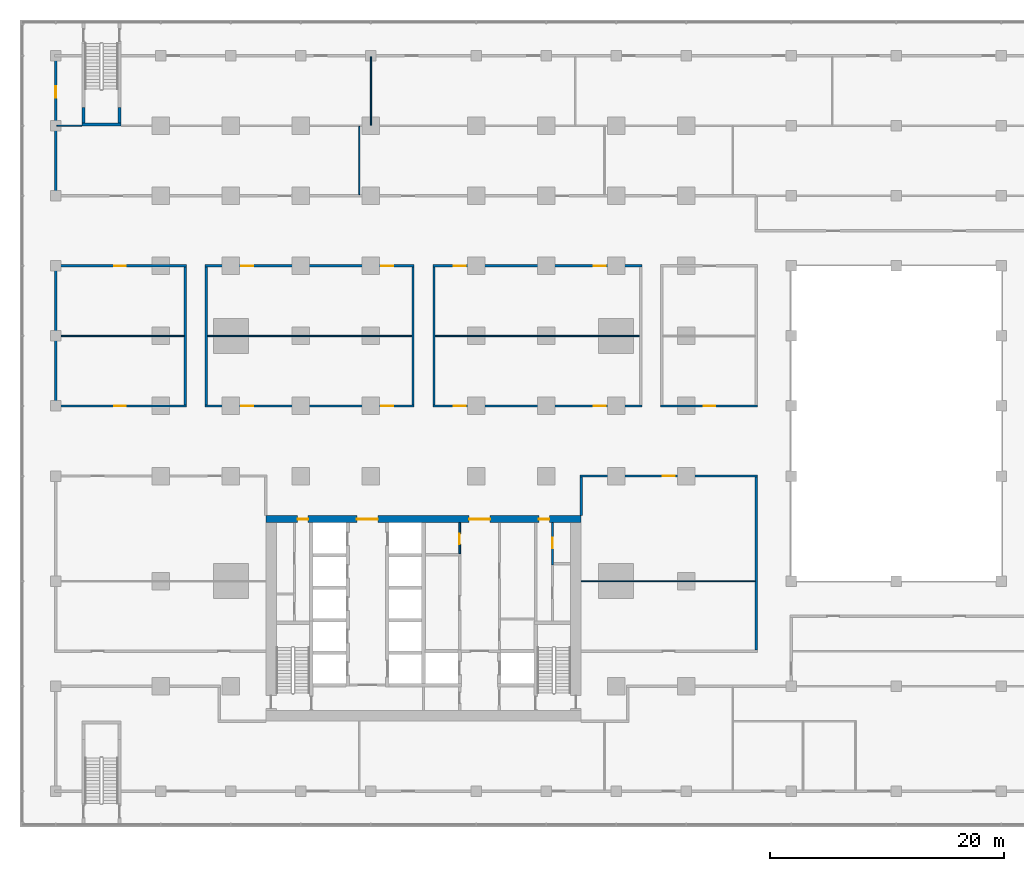
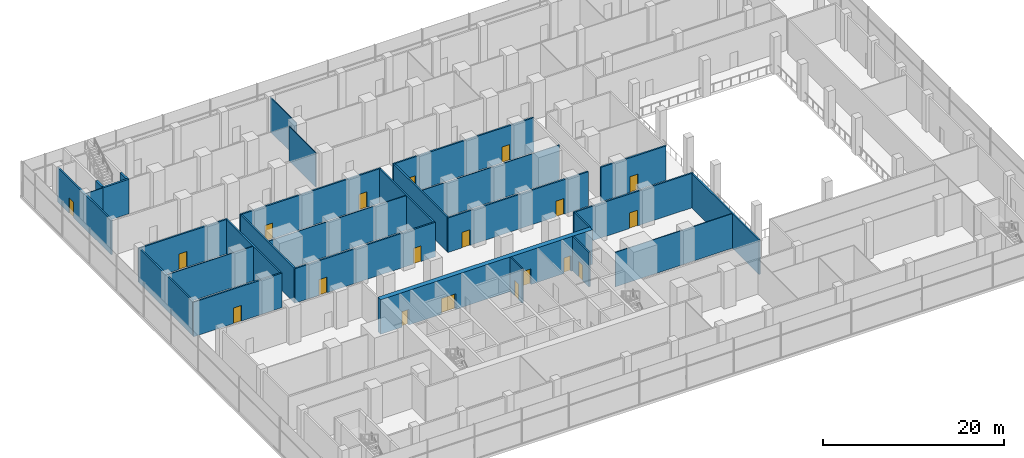
# One storey, part 15 of 22: 29 walls, 19 doors, 19 openings.
"""IFC4 building model written with IfcOpenShell, lengths in metres."""

from ifc_helpers import new_model, si_unit, direction, frame, frame_2d, origin, place, context, subcontext, project, spatial, rectangle, extrude, material, layer, layer_set, type_object, element, fill, save


model = new_model("IFC4")

# Units and contexts
model_context = context("Model", 3, precision=1e-05, world=origin(), true_north=direction((0.0, 1.0)))
body_context = subcontext(model_context, "Body", "Model", "MODEL_VIEW")
ifc_project = project(units=[si_unit("LENGTHUNIT", "METRE"), si_unit("AREAUNIT", "SQUARE_METRE"), si_unit("VOLUMEUNIT", "CUBIC_METRE"), si_unit("PLANEANGLEUNIT", "RADIAN"), si_unit("MASSUNIT", "GRAM", prefix="KILO")], contexts=[model_context])

# Site, building, storey
site_placement = place(None, origin())
site = spatial("IfcSite", under=ifc_project, at=site_placement, CompositionType="ELEMENT")
building_placement = place(site_placement, origin())
building = spatial("IfcBuilding", under=site, at=building_placement, Name="Finial Court Residences", CompositionType="ELEMENT")
storey_placement = place(building_placement, frame((0.0, 0.0, 13.5)))
storey = spatial("IfcBuildingStorey", under=building, at=storey_placement, Name="L02", CompositionType="ELEMENT", Elevation=13.5)

# Wall, openings, doors
ifc_material_1 = material(Name="Concrete C80/95", Category="concrete")
ifc_layer_1 = layer(ifc_material_1, 0.60009765625)
ifc_layer_set_1 = layer_set([ifc_layer_1], Name="Core outer wall 600 Concrete C80/95")
wall_type_1 = type_object("IfcWallType", Name="Core outer wall 600 Concrete C80/95", PredefinedType="SHEAR", material=ifc_layer_set_1)
wall_1_placement = place(storey_placement, frame((-13.5, -8.199951171875, 0.0), z_axis=(0.0, 0.0, 1.0), x_axis=(1.0, 0.0, 0.0)))
wall_1 = element("IfcWall", 1, at=wall_1_placement, inside=storey, type_object=wall_type_1, Name="Core outer wall L02-02", PredefinedType="SHEAR", context=body_context, shape_type="SweptSolid", body=[
    extrude(rectangle(XDim=27.0, YDim=0.60009765625, at=frame_2d((13.5, 0.0))), origin(), (0.0, 0.0, 1.0), 4.64990234375),
])
opening_1_placement = place(wall_1_placement, frame((7.800048828125, 0.0, 0.0)))
opening_1 = element("IfcOpeningElement", 2, at=opening_1_placement, cuts=wall_1, Name="Opening L02-C04", PredefinedType="OPENING", context=body_context, shape_type="SweptSolid", body=[
    extrude(rectangle(XDim=1.800048828125, YDim=2.10009765625, at=frame_2d((0.89990234375, 1.050048828125))), frame((0.0, 0.31005859375, 0.0), z_axis=(0.0, -1.0, 0.0), x_axis=(1.0, 0.0, 0.0)), (0.0, 0.0, 1.0), 0.6201171875),
])
opening_2_placement = place(wall_1_placement, frame((17.39990234375, 0.0, 0.0)))
opening_2 = element("IfcOpeningElement", 3, at=opening_2_placement, cuts=wall_1, Name="Opening L02-C05", PredefinedType="OPENING", context=body_context, shape_type="SweptSolid", body=[
    extrude(rectangle(XDim=1.800048828125, YDim=2.10009765625, at=frame_2d((0.89990234375, 1.050048828125))), frame((0.0, 0.31005859375, 0.0), z_axis=(0.0, -1.0, 0.0), x_axis=(1.0, 0.0, 0.0)), (0.0, 0.0, 1.0), 0.6201171875),
])
opening_3_placement = place(wall_1_placement, frame((2.72509765625, 0.0, 0.0)))
opening_3 = element("IfcOpeningElement", 4, at=opening_3_placement, cuts=wall_1, Name="Opening L02-C10", PredefinedType="OPENING", context=body_context, shape_type="SweptSolid", body=[
    extrude(rectangle(XDim=0.89990234375, YDim=2.10009765625, at=frame_2d((0.449951171875, 1.050048828125))), frame((0.0, 0.31005859375, 0.0), z_axis=(0.0, -1.0, 0.0), x_axis=(1.0, 0.0, 0.0)), (0.0, 0.0, 1.0), 0.6201171875),
])
opening_4_placement = place(wall_1_placement, frame((23.375, 0.0, 0.0)))
opening_4 = element("IfcOpeningElement", 5, at=opening_4_placement, cuts=wall_1, Name="Opening L02-C11", PredefinedType="OPENING", context=body_context, shape_type="SweptSolid", body=[
    extrude(rectangle(XDim=0.89990234375, YDim=2.10009765625, at=frame_2d((0.449951171875, 1.050048828125))), frame((0.0, 0.31005859375, 0.0), z_axis=(0.0, -1.0, 0.0), x_axis=(1.0, 0.0, 0.0)), (0.0, 0.0, 1.0), 0.6201171875),
])
ifc_material_2 = material(Name="Steel fire door", Category="steel")
door_type_1 = type_object("IfcDoorType", Name="Lift lobby door 1800 x 2100 EI 60", OperationType="DOUBLE_DOOR_SINGLE_SWING", PredefinedType="DOOR", material=ifc_material_2)
door_1_placement = place(opening_1_placement, origin())
door_1 = element("IfcDoor", 6, at=door_1_placement, inside=storey, type_object=door_type_1, Name="Lift lobby door L02-C04", OperationType="DOUBLE_DOOR_SINGLE_SWING", OverallHeight=2.10009765625, OverallWidth=1.800048828125, PredefinedType="DOOR", context=body_context, shape_type="SweptSolid", body=[
    extrude(rectangle(XDim=1.800048828125, YDim=2.10009765625, at=frame_2d((0.89990234375, 1.050048828125))), frame((0.0, 0.02490234375, 0.0), z_axis=(0.0, -1.0, 0.0), x_axis=(1.0, 0.0, 0.0)), (0.0, 0.0, 1.0), 0.050048828125),
])
fill(opening_1, door_1)
door_2_placement = place(opening_2_placement, origin())
door_2 = element("IfcDoor", 7, at=door_2_placement, inside=storey, type_object=door_type_1, Name="Lift lobby door L02-C05", OperationType="DOUBLE_DOOR_SINGLE_SWING", OverallHeight=2.10009765625, OverallWidth=1.800048828125, PredefinedType="DOOR", context=body_context, shape_type="SweptSolid", body=[
    extrude(rectangle(XDim=1.800048828125, YDim=2.10009765625, at=frame_2d((0.89990234375, 1.050048828125))), frame((0.0, 0.02490234375, 0.0), z_axis=(0.0, -1.0, 0.0), x_axis=(1.0, 0.0, 0.0)), (0.0, 0.0, 1.0), 0.050048828125),
])
fill(opening_2, door_2)
door_type_2 = type_object("IfcDoorType", Name="Riser room door 900 x 2100 EI 90", OperationType="NOTDEFINED", PredefinedType="DOOR", material=ifc_material_2)
door_3_placement = place(opening_3_placement, origin())
door_3 = element("IfcDoor", 8, at=door_3_placement, inside=storey, type_object=door_type_2, Name="Riser room door L02-C10", OperationType="SINGLE_SWING_RIGHT", OverallHeight=2.10009765625, OverallWidth=0.89990234375, PredefinedType="DOOR", context=body_context, shape_type="SweptSolid", body=[
    extrude(rectangle(XDim=0.89990234375, YDim=2.10009765625, at=frame_2d((0.449951171875, 1.050048828125))), frame((0.0, 0.02490234375, 0.0), z_axis=(0.0, -1.0, 0.0), x_axis=(1.0, 0.0, 0.0)), (0.0, 0.0, 1.0), 0.050048828125),
])
fill(opening_3, door_3)
door_4_placement = place(opening_4_placement, origin())
door_4 = element("IfcDoor", 9, at=door_4_placement, inside=storey, type_object=door_type_2, Name="Riser room door L02-C11", OperationType="SINGLE_SWING_LEFT", OverallHeight=2.10009765625, OverallWidth=0.89990234375, PredefinedType="DOOR", context=body_context, shape_type="SweptSolid", body=[
    extrude(rectangle(XDim=0.89990234375, YDim=2.10009765625, at=frame_2d((0.449951171875, 1.050048828125))), frame((0.0, 0.02490234375, 0.0), z_axis=(0.0, -1.0, 0.0), x_axis=(1.0, 0.0, 0.0)), (0.0, 0.0, 1.0), 0.050048828125),
])
fill(opening_4, door_4)

# Wall, opening, door
ifc_material_3 = material(Name="Fire-rated gypsum board partition")
ifc_layer_2 = layer(ifc_material_3, 0.14990234375)
ifc_layer_set_2 = layer_set([ifc_layer_2], Name="Core room partition 150 EI 60")
wall_type_2 = type_object("IfcWallType", Name="Core room partition 150 EI 60", PredefinedType="PARTITIONING", material=ifc_layer_set_2)
wall_2_placement = place(storey_placement, frame((3.10009765625, -11.14990234375, 0.0), z_axis=(0.0, 0.0, 1.0), x_axis=(0.0, 1.0, 0.0)))
wall_2 = element("IfcWall", 10, at=wall_2_placement, inside=storey, type_object=wall_type_2, Name="Core partition L02-33", PredefinedType="PARTITIONING", context=body_context, shape_type="SweptSolid", body=[
    extrude(rectangle(XDim=2.64990234375, YDim=0.14990234375, at=frame_2d((1.324951171875, 0.0))), origin(), (0.0, 0.0, 1.0), 4.64990234375),
])
opening_5_placement = place(wall_2_placement, frame((0.824951171875, 0.0, 0.0)))
opening_5 = element("IfcOpeningElement", 11, at=opening_5_placement, cuts=wall_2, Name="Opening L02-C14", PredefinedType="OPENING", context=body_context, shape_type="SweptSolid", body=[
    extrude(rectangle(XDim=0.89990234375, YDim=2.10009765625, at=frame_2d((0.449951171875, 1.050048828125))), frame((0.0, 0.0849609375, 0.0), z_axis=(0.0, -1.0, 0.0), x_axis=(1.0, 0.0, 0.0)), (0.0, 0.0, 1.0), 0.169921875),
])
door_type_3 = type_object("IfcDoorType", Name="Core room door 900 x 2100 EI 60", OperationType="NOTDEFINED", PredefinedType="DOOR", material=ifc_material_2)
door_5_placement = place(opening_5_placement, origin())
door_5 = element("IfcDoor", 12, at=door_5_placement, inside=storey, type_object=door_type_3, Name="Core room door L02-C14", OperationType="SINGLE_SWING_LEFT", OverallHeight=2.10009765625, OverallWidth=0.89990234375, PredefinedType="DOOR", context=body_context, shape_type="SweptSolid", body=[
    extrude(rectangle(XDim=0.89990234375, YDim=2.10009765625, at=frame_2d((0.449951171875, 1.050048828125))), frame((0.0, 0.02490234375, 0.0), z_axis=(0.0, -1.0, 0.0), x_axis=(1.0, 0.0, 0.0)), (0.0, 0.0, 1.0), 0.050048828125),
])
fill(opening_5, door_5)

ifc_material_4 = material(Name="Gypsum board")
ifc_layer_3 = layer(ifc_material_4, 0.02490234375)
ifc_material_5 = material(Name="Acoustic mineral wool in double frame")
ifc_layer_4 = layer(ifc_material_5, 0.14990234375)
ifc_layer_5 = layer(ifc_material_4, 0.02490234375)
ifc_layer_set_3 = layer_set([ifc_layer_3, ifc_layer_4, ifc_layer_5], Name="Corridor wall 200, 1 hour")
wall_type_3 = type_object("IfcWallType", Name="Corridor wall 200, 1 hour", PredefinedType="PARTITIONING", material=ifc_layer_set_3)
wall_3_placement = place(storey_placement, frame((13.39990234375, -4.5, 0.0), z_axis=(0.0, 0.0, 1.0), x_axis=(1.0, 0.0, 0.0)))
wall_3 = element("IfcWall", 13, at=wall_3_placement, inside=storey, type_object=wall_type_3, Name="Partition L02-017", PredefinedType="PARTITIONING", context=body_context, shape_type="SweptSolid", body=[
    extrude(rectangle(XDim=15.2001953125, YDim=0.199951171875, at=frame_2d((7.60009765625, 0.0))), origin(), (0.0, 0.0, 1.0), 4.64990234375),
])
opening_6_placement = place(wall_3_placement, frame((7.10009765625, 0.0, 0.0)))
opening_6 = element("IfcOpeningElement", 14, at=opening_6_placement, cuts=wall_3, Name="Opening L02-D017", PredefinedType="OPENING", context=body_context, shape_type="SweptSolid", body=[
    extrude(rectangle(XDim=1.0, YDim=2.10009765625, at=frame_2d((0.5, 1.050048828125))), frame((0.0, 0.10986328125, 0.0), z_axis=(0.0, -1.0, 0.0), x_axis=(1.0, 0.0, 0.0)), (0.0, 0.0, 1.0), 0.219970703125),
])
ifc_material_6 = material(Name="Timber door leaf in hollow metal frame", Category="wood")
door_type_4 = type_object("IfcDoorType", Name="Fire door set 1000 x 2100, 30 minutes", OperationType="SINGLE_SWING_LEFT", PredefinedType="DOOR", material=ifc_material_6)
door_6_placement = place(opening_6_placement, origin())
door_6 = element("IfcDoor", 15, at=door_6_placement, inside=storey, type_object=door_type_4, Name="Door L02-D017", OperationType="SINGLE_SWING_LEFT", OverallHeight=2.10009765625, OverallWidth=1.0, PredefinedType="DOOR", context=body_context, shape_type="SweptSolid", body=[
    extrude(rectangle(XDim=1.0, YDim=2.10009765625, at=frame_2d((0.5, 1.050048828125))), frame((0.0, 0.02490234375, 0.0), z_axis=(0.0, -1.0, 0.0), x_axis=(1.0, 0.0, 0.0)), (0.0, 0.0, 1.0), 0.050048828125),
])
fill(opening_6, door_6)

wall_4_placement = place(storey_placement, frame((-31.60009765625, 1.5, 0.0), z_axis=(0.0, 0.0, 1.0), x_axis=(1.0, 0.0, 0.0)))
wall_4 = element("IfcWall", 16, at=wall_4_placement, inside=storey, type_object=wall_type_3, Name="Partition L02-019", PredefinedType="PARTITIONING", context=body_context, shape_type="SweptSolid", body=[
    extrude(rectangle(XDim=11.300048828125, YDim=0.199951171875, at=frame_2d((5.64990234375, 0.0))), origin(), (0.0, 0.0, 1.0), 4.64990234375),
])
opening_7_placement = place(wall_4_placement, frame((5.10009765625, 0.0, 0.0)))
opening_7 = element("IfcOpeningElement", 17, at=opening_7_placement, cuts=wall_4, Name="Opening L02-D018", PredefinedType="OPENING", context=body_context, shape_type="SweptSolid", body=[
    extrude(rectangle(XDim=1.0, YDim=2.10009765625, at=frame_2d((0.5, 1.050048828125))), frame((0.0, 0.10986328125, 0.0), z_axis=(0.0, -1.0, 0.0), x_axis=(1.0, 0.0, 0.0)), (0.0, 0.0, 1.0), 0.219970703125),
])
door_7_placement = place(opening_7_placement, origin())
door_7 = element("IfcDoor", 18, at=door_7_placement, inside=storey, type_object=door_type_4, Name="Door L02-D018", OperationType="SINGLE_SWING_LEFT", OverallHeight=2.10009765625, OverallWidth=1.0, PredefinedType="DOOR", context=body_context, shape_type="SweptSolid", body=[
    extrude(rectangle(XDim=1.0, YDim=2.10009765625, at=frame_2d((0.5, 1.050048828125))), frame((0.0, 0.02490234375, 0.0), z_axis=(0.0, -1.0, 0.0), x_axis=(1.0, 0.0, 0.0)), (0.0, 0.0, 1.0), 0.050048828125),
])
fill(opening_7, door_7)

# Wall, openings, doors
wall_5_placement = place(storey_placement, frame((-18.699951171875, 1.5, 0.0), z_axis=(0.0, 0.0, 1.0), x_axis=(1.0, 0.0, 0.0)))
wall_5 = element("IfcWall", 19, at=wall_5_placement, inside=storey, type_object=wall_type_3, Name="Partition L02-020", PredefinedType="PARTITIONING", context=body_context, shape_type="SweptSolid", body=[
    extrude(rectangle(XDim=17.89990234375, YDim=0.199951171875, at=frame_2d((8.949951171875, 0.0))), origin(), (0.0, 0.0, 1.0), 4.64990234375),
])
opening_8_placement = place(wall_5_placement, frame((3.10009765625, 0.0, 0.0)))
opening_8 = element("IfcOpeningElement", 20, at=opening_8_placement, cuts=wall_5, Name="Opening L02-D019", PredefinedType="OPENING", context=body_context, shape_type="SweptSolid", body=[
    extrude(rectangle(XDim=1.0, YDim=2.10009765625, at=frame_2d((0.5, 1.050048828125))), frame((0.0, 0.10986328125, 0.0), z_axis=(0.0, -1.0, 0.0), x_axis=(1.0, 0.0, 0.0)), (0.0, 0.0, 1.0), 0.219970703125),
])
opening_9_placement = place(wall_5_placement, frame((15.10009765625, 0.0, 0.0)))
opening_9 = element("IfcOpeningElement", 21, at=opening_9_placement, cuts=wall_5, Name="Opening L02-D020", PredefinedType="OPENING", context=body_context, shape_type="SweptSolid", body=[
    extrude(rectangle(XDim=1.0, YDim=2.10009765625, at=frame_2d((0.5, 1.050048828125))), frame((0.0, 0.10986328125, 0.0), z_axis=(0.0, -1.0, 0.0), x_axis=(1.0, 0.0, 0.0)), (0.0, 0.0, 1.0), 0.219970703125),
])
door_8_placement = place(opening_8_placement, origin())
door_8 = element("IfcDoor", 22, at=door_8_placement, inside=storey, type_object=door_type_4, Name="Door L02-D019", OperationType="SINGLE_SWING_RIGHT", OverallHeight=2.10009765625, OverallWidth=1.0, PredefinedType="DOOR", context=body_context, shape_type="SweptSolid", body=[
    extrude(rectangle(XDim=1.0, YDim=2.10009765625, at=frame_2d((0.5, 1.050048828125))), frame((0.0, 0.02490234375, 0.0), z_axis=(0.0, -1.0, 0.0), x_axis=(1.0, 0.0, 0.0)), (0.0, 0.0, 1.0), 0.050048828125),
])
fill(opening_8, door_8)
door_9_placement = place(opening_9_placement, origin())
door_9 = element("IfcDoor", 23, at=door_9_placement, inside=storey, type_object=door_type_4, Name="Door L02-D020", OperationType="SINGLE_SWING_LEFT", OverallHeight=2.10009765625, OverallWidth=1.0, PredefinedType="DOOR", context=body_context, shape_type="SweptSolid", body=[
    extrude(rectangle(XDim=1.0, YDim=2.10009765625, at=frame_2d((0.5, 1.050048828125))), frame((0.0, 0.02490234375, 0.0), z_axis=(0.0, -1.0, 0.0), x_axis=(1.0, 0.0, 0.0)), (0.0, 0.0, 1.0), 0.050048828125),
])
fill(opening_9, door_9)

wall_6_placement = place(storey_placement, frame((0.800048828125, 1.5, 0.0), z_axis=(0.0, 0.0, 1.0), x_axis=(1.0, 0.0, 0.0)))
wall_6 = element("IfcWall", 24, at=wall_6_placement, inside=storey, type_object=wall_type_3, Name="Partition L02-021", PredefinedType="PARTITIONING", context=body_context, shape_type="SweptSolid", body=[
    extrude(rectangle(XDim=17.89990234375, YDim=0.199951171875, at=frame_2d((8.949951171875, 0.0))), origin(), (0.0, 0.0, 1.0), 4.64990234375),
])
opening_10_placement = place(wall_6_placement, frame((1.800048828125, 0.0, 0.0)))
opening_10 = element("IfcOpeningElement", 25, at=opening_10_placement, cuts=wall_6, Name="Opening L02-D021", PredefinedType="OPENING", context=body_context, shape_type="SweptSolid", body=[
    extrude(rectangle(XDim=1.0, YDim=2.10009765625, at=frame_2d((0.5, 1.050048828125))), frame((0.0, 0.10986328125, 0.0), z_axis=(0.0, -1.0, 0.0), x_axis=(1.0, 0.0, 0.0)), (0.0, 0.0, 1.0), 0.219970703125),
])
opening_11_placement = place(wall_6_placement, frame((13.800048828125, 0.0, 0.0)))
opening_11 = element("IfcOpeningElement", 26, at=opening_11_placement, cuts=wall_6, Name="Opening L02-D022", PredefinedType="OPENING", context=body_context, shape_type="SweptSolid", body=[
    extrude(rectangle(XDim=1.0, YDim=2.10009765625, at=frame_2d((0.5, 1.050048828125))), frame((0.0, 0.10986328125, 0.0), z_axis=(0.0, -1.0, 0.0), x_axis=(1.0, 0.0, 0.0)), (0.0, 0.0, 1.0), 0.219970703125),
])
door_10_placement = place(opening_10_placement, origin())
door_10 = element("IfcDoor", 27, at=door_10_placement, inside=storey, type_object=door_type_4, Name="Door L02-D021", OperationType="SINGLE_SWING_RIGHT", OverallHeight=2.10009765625, OverallWidth=1.0, PredefinedType="DOOR", context=body_context, shape_type="SweptSolid", body=[
    extrude(rectangle(XDim=1.0, YDim=2.10009765625, at=frame_2d((0.5, 1.050048828125))), frame((0.0, 0.02490234375, 0.0), z_axis=(0.0, -1.0, 0.0), x_axis=(1.0, 0.0, 0.0)), (0.0, 0.0, 1.0), 0.050048828125),
])
fill(opening_10, door_10)
door_11_placement = place(opening_11_placement, origin())
door_11 = element("IfcDoor", 28, at=door_11_placement, inside=storey, type_object=door_type_4, Name="Door L02-D022", OperationType="SINGLE_SWING_LEFT", OverallHeight=2.10009765625, OverallWidth=1.0, PredefinedType="DOOR", context=body_context, shape_type="SweptSolid", body=[
    extrude(rectangle(XDim=1.0, YDim=2.10009765625, at=frame_2d((0.5, 1.050048828125))), frame((0.0, 0.02490234375, 0.0), z_axis=(0.0, -1.0, 0.0), x_axis=(1.0, 0.0, 0.0)), (0.0, 0.0, 1.0), 0.050048828125),
])
fill(opening_11, door_11)

# Wall, opening, door
wall_7_placement = place(storey_placement, frame((20.300048828125, 1.5, 0.0), z_axis=(0.0, 0.0, 1.0), x_axis=(1.0, 0.0, 0.0)))
wall_7 = element("IfcWall", 29, at=wall_7_placement, inside=storey, type_object=wall_type_3, Name="Partition L02-022", PredefinedType="PARTITIONING", context=body_context, shape_type="SweptSolid", body=[
    extrude(rectangle(XDim=8.300048828125, YDim=0.199951171875, at=frame_2d((4.14990234375, 0.0))), origin(), (0.0, 0.0, 1.0), 4.64990234375),
])
opening_12_placement = place(wall_7_placement, frame((3.699951171875, 0.0, 0.0)))
opening_12 = element("IfcOpeningElement", 30, at=opening_12_placement, cuts=wall_7, Name="Opening L02-D023", PredefinedType="OPENING", context=body_context, shape_type="SweptSolid", body=[
    extrude(rectangle(XDim=1.0, YDim=2.10009765625, at=frame_2d((0.5, 1.050048828125))), frame((0.0, 0.10986328125, 0.0), z_axis=(0.0, -1.0, 0.0), x_axis=(1.0, 0.0, 0.0)), (0.0, 0.0, 1.0), 0.219970703125),
])
door_12_placement = place(opening_12_placement, origin())
door_12 = element("IfcDoor", 31, at=door_12_placement, inside=storey, type_object=door_type_4, Name="Door L02-D023", OperationType="SINGLE_SWING_RIGHT", OverallHeight=2.10009765625, OverallWidth=1.0, PredefinedType="DOOR", context=body_context, shape_type="SweptSolid", body=[
    extrude(rectangle(XDim=1.0, YDim=2.10009765625, at=frame_2d((0.5, 1.050048828125))), frame((0.0, 0.02490234375, 0.0), z_axis=(0.0, -1.0, 0.0), x_axis=(1.0, 0.0, 0.0)), (0.0, 0.0, 1.0), 0.050048828125),
])
fill(opening_12, door_12)

wall_8_placement = place(storey_placement, frame((-31.60009765625, 13.5, 0.0), z_axis=(0.0, 0.0, 1.0), x_axis=(1.0, 0.0, 0.0)))
wall_8 = element("IfcWall", 32, at=wall_8_placement, inside=storey, type_object=wall_type_3, Name="Partition L02-027", PredefinedType="PARTITIONING", context=body_context, shape_type="SweptSolid", body=[
    extrude(rectangle(XDim=11.300048828125, YDim=0.199951171875, at=frame_2d((5.64990234375, 0.0))), origin(), (0.0, 0.0, 1.0), 4.64990234375),
])
opening_13_placement = place(wall_8_placement, frame((5.10009765625, 0.0, 0.0)))
opening_13 = element("IfcOpeningElement", 33, at=opening_13_placement, cuts=wall_8, Name="Opening L02-D024", PredefinedType="OPENING", context=body_context, shape_type="SweptSolid", body=[
    extrude(rectangle(XDim=1.0, YDim=2.10009765625, at=frame_2d((0.5, 1.050048828125))), frame((0.0, 0.10986328125, 0.0), z_axis=(0.0, -1.0, 0.0), x_axis=(1.0, 0.0, 0.0)), (0.0, 0.0, 1.0), 0.219970703125),
])
door_13_placement = place(opening_13_placement, origin())
door_13 = element("IfcDoor", 34, at=door_13_placement, inside=storey, type_object=door_type_4, Name="Door L02-D024", OperationType="SINGLE_SWING_LEFT", OverallHeight=2.10009765625, OverallWidth=1.0, PredefinedType="DOOR", context=body_context, shape_type="SweptSolid", body=[
    extrude(rectangle(XDim=1.0, YDim=2.10009765625, at=frame_2d((0.5, 1.050048828125))), frame((0.0, 0.02490234375, 0.0), z_axis=(0.0, -1.0, 0.0), x_axis=(1.0, 0.0, 0.0)), (0.0, 0.0, 1.0), 0.050048828125),
])
fill(opening_13, door_13)

# Wall, openings, doors
wall_9_placement = place(storey_placement, frame((-18.699951171875, 13.5, 0.0), z_axis=(0.0, 0.0, 1.0), x_axis=(1.0, 0.0, 0.0)))
wall_9 = element("IfcWall", 35, at=wall_9_placement, inside=storey, type_object=wall_type_3, Name="Partition L02-028", PredefinedType="PARTITIONING", context=body_context, shape_type="SweptSolid", body=[
    extrude(rectangle(XDim=17.89990234375, YDim=0.199951171875, at=frame_2d((8.949951171875, 0.0))), origin(), (0.0, 0.0, 1.0), 4.64990234375),
])
opening_14_placement = place(wall_9_placement, frame((3.10009765625, 0.0, 0.0)))
opening_14 = element("IfcOpeningElement", 36, at=opening_14_placement, cuts=wall_9, Name="Opening L02-D025", PredefinedType="OPENING", context=body_context, shape_type="SweptSolid", body=[
    extrude(rectangle(XDim=1.0, YDim=2.10009765625, at=frame_2d((0.5, 1.050048828125))), frame((0.0, 0.10986328125, 0.0), z_axis=(0.0, -1.0, 0.0), x_axis=(1.0, 0.0, 0.0)), (0.0, 0.0, 1.0), 0.219970703125),
])
opening_15_placement = place(wall_9_placement, frame((15.10009765625, 0.0, 0.0)))
opening_15 = element("IfcOpeningElement", 37, at=opening_15_placement, cuts=wall_9, Name="Opening L02-D026", PredefinedType="OPENING", context=body_context, shape_type="SweptSolid", body=[
    extrude(rectangle(XDim=1.0, YDim=2.10009765625, at=frame_2d((0.5, 1.050048828125))), frame((0.0, 0.10986328125, 0.0), z_axis=(0.0, -1.0, 0.0), x_axis=(1.0, 0.0, 0.0)), (0.0, 0.0, 1.0), 0.219970703125),
])
door_14_placement = place(opening_14_placement, origin())
door_14 = element("IfcDoor", 38, at=door_14_placement, inside=storey, type_object=door_type_4, Name="Door L02-D025", OperationType="SINGLE_SWING_LEFT", OverallHeight=2.10009765625, OverallWidth=1.0, PredefinedType="DOOR", context=body_context, shape_type="SweptSolid", body=[
    extrude(rectangle(XDim=1.0, YDim=2.10009765625, at=frame_2d((0.5, 1.050048828125))), frame((0.0, 0.02490234375, 0.0), z_axis=(0.0, -1.0, 0.0), x_axis=(1.0, 0.0, 0.0)), (0.0, 0.0, 1.0), 0.050048828125),
])
fill(opening_14, door_14)
door_15_placement = place(opening_15_placement, origin())
door_15 = element("IfcDoor", 39, at=door_15_placement, inside=storey, type_object=door_type_4, Name="Door L02-D026", OperationType="SINGLE_SWING_RIGHT", OverallHeight=2.10009765625, OverallWidth=1.0, PredefinedType="DOOR", context=body_context, shape_type="SweptSolid", body=[
    extrude(rectangle(XDim=1.0, YDim=2.10009765625, at=frame_2d((0.5, 1.050048828125))), frame((0.0, 0.02490234375, 0.0), z_axis=(0.0, -1.0, 0.0), x_axis=(1.0, 0.0, 0.0)), (0.0, 0.0, 1.0), 0.050048828125),
])
fill(opening_15, door_15)

wall_10_placement = place(storey_placement, frame((0.800048828125, 13.5, 0.0), z_axis=(0.0, 0.0, 1.0), x_axis=(1.0, 0.0, 0.0)))
wall_10 = element("IfcWall", 40, at=wall_10_placement, inside=storey, type_object=wall_type_3, Name="Partition L02-029", PredefinedType="PARTITIONING", context=body_context, shape_type="SweptSolid", body=[
    extrude(rectangle(XDim=17.89990234375, YDim=0.199951171875, at=frame_2d((8.949951171875, 0.0))), origin(), (0.0, 0.0, 1.0), 4.64990234375),
])
opening_16_placement = place(wall_10_placement, frame((1.800048828125, 0.0, 0.0)))
opening_16 = element("IfcOpeningElement", 41, at=opening_16_placement, cuts=wall_10, Name="Opening L02-D027", PredefinedType="OPENING", context=body_context, shape_type="SweptSolid", body=[
    extrude(rectangle(XDim=1.0, YDim=2.10009765625, at=frame_2d((0.5, 1.050048828125))), frame((0.0, 0.10986328125, 0.0), z_axis=(0.0, -1.0, 0.0), x_axis=(1.0, 0.0, 0.0)), (0.0, 0.0, 1.0), 0.219970703125),
])
opening_17_placement = place(wall_10_placement, frame((13.800048828125, 0.0, 0.0)))
opening_17 = element("IfcOpeningElement", 42, at=opening_17_placement, cuts=wall_10, Name="Opening L02-D028", PredefinedType="OPENING", context=body_context, shape_type="SweptSolid", body=[
    extrude(rectangle(XDim=1.0, YDim=2.10009765625, at=frame_2d((0.5, 1.050048828125))), frame((0.0, 0.10986328125, 0.0), z_axis=(0.0, -1.0, 0.0), x_axis=(1.0, 0.0, 0.0)), (0.0, 0.0, 1.0), 0.219970703125),
])
door_16_placement = place(opening_16_placement, origin())
door_16 = element("IfcDoor", 43, at=door_16_placement, inside=storey, type_object=door_type_4, Name="Door L02-D027", OperationType="SINGLE_SWING_LEFT", OverallHeight=2.10009765625, OverallWidth=1.0, PredefinedType="DOOR", context=body_context, shape_type="SweptSolid", body=[
    extrude(rectangle(XDim=1.0, YDim=2.10009765625, at=frame_2d((0.5, 1.050048828125))), frame((0.0, 0.02490234375, 0.0), z_axis=(0.0, -1.0, 0.0), x_axis=(1.0, 0.0, 0.0)), (0.0, 0.0, 1.0), 0.050048828125),
])
fill(opening_16, door_16)
door_17_placement = place(opening_17_placement, origin())
door_17 = element("IfcDoor", 44, at=door_17_placement, inside=storey, type_object=door_type_4, Name="Door L02-D028", OperationType="SINGLE_SWING_RIGHT", OverallHeight=2.10009765625, OverallWidth=1.0, PredefinedType="DOOR", context=body_context, shape_type="SweptSolid", body=[
    extrude(rectangle(XDim=1.0, YDim=2.10009765625, at=frame_2d((0.5, 1.050048828125))), frame((0.0, 0.02490234375, 0.0), z_axis=(0.0, -1.0, 0.0), x_axis=(1.0, 0.0, 0.0)), (0.0, 0.0, 1.0), 0.050048828125),
])
fill(opening_17, door_17)

# Wall
wall_11_placement = place(storey_placement, frame((-31.5, 1.60009765625, 0.0), z_axis=(0.0, 0.0, 1.0), x_axis=(0.0, 1.0, 0.0)))
element("IfcWall", 45, at=wall_11_placement, inside=storey, type_object=wall_type_3, Name="Partition L02-043", PredefinedType="PARTITIONING", context=body_context, shape_type="SweptSolid", body=[
    extrude(rectangle(XDim=11.7998046875, YDim=0.199951171875, at=frame_2d((5.89990234375, 0.0))), origin(), (0.0, 0.0, 1.0), 4.64990234375),
])

# Wall, opening, door
wall_12_placement = place(storey_placement, frame((-31.5, 19.60009765625, 0.0), z_axis=(0.0, 0.0, 1.0), x_axis=(0.0, 1.0, 0.0)))
wall_12 = element("IfcWall", 46, at=wall_12_placement, inside=storey, type_object=wall_type_3, Name="Partition L02-044", PredefinedType="PARTITIONING", context=body_context, shape_type="SweptSolid", body=[
    extrude(rectangle(XDim=11.7998046875, YDim=0.199951171875, at=frame_2d((5.89990234375, 0.0))), origin(), (0.0, 0.0, 1.0), 4.64990234375),
])
opening_18_placement = place(wall_12_placement, frame((8.300048828125, 0.0, 0.0)))
opening_18 = element("IfcOpeningElement", 47, at=opening_18_placement, cuts=wall_12, Name="Opening L02-D045", PredefinedType="OPENING", context=body_context, shape_type="SweptSolid", body=[
    extrude(rectangle(XDim=1.0, YDim=2.10009765625, at=frame_2d((0.5, 1.050048828125))), frame((0.0, 0.10986328125, 0.0), z_axis=(0.0, -1.0, 0.0), x_axis=(1.0, 0.0, 0.0)), (0.0, 0.0, 1.0), 0.219970703125),
])
door_18_placement = place(opening_18_placement, origin())
door_18 = element("IfcDoor", 48, at=door_18_placement, inside=storey, type_object=door_type_4, Name="Door L02-D045", OperationType="SINGLE_SWING_RIGHT", OverallHeight=2.10009765625, OverallWidth=1.0, PredefinedType="DOOR", context=body_context, shape_type="SweptSolid", body=[
    extrude(rectangle(XDim=1.0, YDim=2.10009765625, at=frame_2d((0.5, 1.050048828125))), frame((0.0, 0.02490234375, 0.0), z_axis=(0.0, -1.0, 0.0), x_axis=(1.0, 0.0, 0.0)), (0.0, 0.0, 1.0), 0.050048828125),
])
fill(opening_18, door_18)

# Walls
for number, where, z_axis, x_axis, name in (
    (49, (-20.39990234375, 1.60009765625, 0.0), (0.0, 0.0, 1.0), (0.0, 1.0, 0.0), "Partition L02-045"),
    (50, (-18.60009765625, 1.60009765625, 0.0), (0.0, 0.0, 1.0), (0.0, 1.0, 0.0), "Partition L02-046"),
    (51, (-0.89990234375, 1.60009765625, 0.0), (0.0, 0.0, 1.0), (0.0, 1.0, 0.0), "Partition L02-052"),
    (52, (0.89990234375, 1.60009765625, 0.0), (0.0, 0.0, 1.0), (0.0, 1.0, 0.0), "Partition L02-053"),
):
    element("IfcWall", number, at=place(storey_placement, frame(where, z_axis=z_axis, x_axis=x_axis)), inside=storey, type_object=wall_type_3, Name=name, PredefinedType="PARTITIONING", context=body_context, shape_type="SweptSolid", body=[
        extrude(rectangle(XDim=11.7998046875, YDim=0.199951171875, at=frame_2d((5.89990234375, 0.0))), origin(), (0.0, 0.0, 1.0), 4.64990234375),
    ])
wall_13_placement = place(storey_placement, frame((13.5, -7.89990234375, 0.0), z_axis=(0.0, 0.0, 1.0), x_axis=(0.0, 1.0, 0.0)))
element("IfcWall", 53, at=wall_13_placement, inside=storey, type_object=wall_type_3, Name="Partition L02-055", PredefinedType="PARTITIONING", context=body_context, shape_type="SweptSolid", body=[
    extrude(rectangle(XDim=3.2998046875, YDim=0.199951171875, at=frame_2d((1.64990234375, 0.0))), origin(), (0.0, 0.0, 1.0), 4.64990234375),
])
wall_14_placement = place(storey_placement, frame((28.5, -19.39990234375, 0.0), z_axis=(0.0, 0.0, 1.0), x_axis=(0.0, 1.0, 0.0)))
element("IfcWall", 54, at=wall_14_placement, inside=storey, type_object=wall_type_3, Name="Partition L02-063", PredefinedType="PARTITIONING", context=body_context, shape_type="SweptSolid", body=[
    extrude(rectangle(XDim=14.7998046875, YDim=0.199951171875, at=frame_2d((7.39990234375, 0.0))), origin(), (0.0, 0.0, 1.0), 4.64990234375),
])
ifc_layer_6 = layer(ifc_material_4, 0.012451171875)
ifc_material_7 = material(Name="Mineral wool in light-gauge frame")
ifc_layer_7 = layer(ifc_material_7, 0.074951171875)
ifc_layer_8 = layer(ifc_material_4, 0.012451171875)
ifc_layer_set_4 = layer_set([ifc_layer_6, ifc_layer_7, ifc_layer_8], Name="Gypsum board partition 100")
wall_type_4 = type_object("IfcWallType", Name="Gypsum board partition 100", PredefinedType="PARTITIONING", material=ifc_layer_set_4)
wall_15_placement = place(storey_placement, frame((13.5, -13.5, 0.0), z_axis=(0.0, 0.0, 1.0), x_axis=(1.0, 0.0, 0.0)))
element("IfcWall", 55, at=wall_15_placement, inside=storey, type_object=wall_type_4, Name="Partition L02-015", PredefinedType="PARTITIONING", context=body_context, shape_type="SweptSolid", body=[
    extrude(rectangle(XDim=14.89990234375, YDim=0.10009765625, at=frame_2d((7.449951171875, 0.0))), origin(), (0.0, 0.0, 1.0), 4.64990234375),
])
wall_16_placement = place(storey_placement, frame((-31.39990234375, 7.5, 0.0), z_axis=(0.0, 0.0, 1.0), x_axis=(1.0, 0.0, 0.0)))
element("IfcWall", 56, at=wall_16_placement, inside=storey, type_object=wall_type_4, Name="Partition L02-023", PredefinedType="PARTITIONING", context=body_context, shape_type="SweptSolid", body=[
    extrude(rectangle(XDim=10.89990234375, YDim=0.10009765625, at=frame_2d((5.449951171875, 0.0))), origin(), (0.0, 0.0, 1.0), 4.64990234375),
])
for number, where, z_axis, x_axis, name in (
    (57, (-18.5, 7.5, 0.0), (0.0, 0.0, 1.0), (1.0, 0.0, 0.0), "Partition L02-024"),
    (58, (1.0, 7.5, 0.0), (0.0, 0.0, 1.0), (1.0, 0.0, 0.0), "Partition L02-025"),
):
    element("IfcWall", number, at=place(storey_placement, frame(where, z_axis=z_axis, x_axis=x_axis)), inside=storey, type_object=wall_type_4, Name=name, PredefinedType="PARTITIONING", context=body_context, shape_type="SweptSolid", body=[
        extrude(rectangle(XDim=17.5, YDim=0.10009765625, at=frame_2d((8.75, 0.0))), origin(), (0.0, 0.0, 1.0), 4.64990234375),
    ])
wall_17_placement = place(storey_placement, frame((-31.39990234375, 25.5, 0.0), z_axis=(0.0, 0.0, 1.0), x_axis=(1.0, 0.0, 0.0)))
element("IfcWall", 59, at=wall_17_placement, inside=storey, type_object=wall_type_4, Name="Partition L02-036", PredefinedType="PARTITIONING", context=body_context, shape_type="SweptSolid", body=[
    extrude(rectangle(XDim=2.14990234375, YDim=0.10009765625, at=frame_2d((1.074951171875, 0.0))), origin(), (0.0, 0.0, 1.0), 4.64990234375),
])
for number, where, z_axis, x_axis, name in (
    (60, (-5.5, 19.60009765625, 0.0), (0.0, 0.0, 1.0), (0.0, 1.0, 0.0), "Partition L02-050"),
    (61, (-4.5, 25.550048828125, 0.0), (0.0, 0.0, 1.0), (0.0, 1.0, 0.0), "Partition L02-051"),
):
    element("IfcWall", number, at=place(storey_placement, frame(where, z_axis=z_axis, x_axis=x_axis)), inside=storey, type_object=wall_type_4, Name=name, PredefinedType="PARTITIONING", context=body_context, shape_type="SweptSolid", body=[
        extrude(rectangle(XDim=5.849853515625, YDim=0.10009765625, at=frame_2d((2.9248046875, 0.0))), origin(), (0.0, 0.0, 1.0), 4.64990234375),
    ])

# Wall, opening, door
ifc_layer_9 = layer(ifc_material_3, 0.199951171875)
ifc_layer_set_5 = layer_set([ifc_layer_9], Name="Riser room wall 200 EI 120")
wall_type_5 = type_object("IfcWallType", Name="Riser room wall 200 EI 120", PredefinedType="PARTITIONING", material=ifc_layer_set_5)
wall_18_placement = place(storey_placement, frame((11.050048828125, -8.5, 0.0), z_axis=(0.0, 0.0, 1.0), x_axis=(0.0, -1.0, 0.0)))
wall_18 = element("IfcWall", 62, at=wall_18_placement, inside=storey, type_object=wall_type_5, Name="Core partition L02-40", PredefinedType="PARTITIONING", context=body_context, shape_type="SweptSolid", body=[
    extrude(rectangle(XDim=3.60009765625, YDim=0.199951171875, at=frame_2d((1.800048828125, 0.0))), origin(), (0.0, 0.0, 1.0), 4.64990234375),
])
opening_19_placement = place(wall_18_placement, frame((1.300048828125, 0.0, 0.0)))
opening_19 = element("IfcOpeningElement", 63, at=opening_19_placement, cuts=wall_18, Name="Opening L02-C08", PredefinedType="OPENING", context=body_context, shape_type="SweptSolid", body=[
    extrude(rectangle(XDim=0.89990234375, YDim=2.10009765625, at=frame_2d((0.449951171875, 1.050048828125))), frame((0.0, 0.10986328125, 0.0), z_axis=(0.0, -1.0, 0.0), x_axis=(1.0, 0.0, 0.0)), (0.0, 0.0, 1.0), 0.219970703125),
])
door_19_placement = place(opening_19_placement, origin())
door_19 = element("IfcDoor", 64, at=door_19_placement, inside=storey, type_object=door_type_2, Name="Riser room door L02-C08", OperationType="SINGLE_SWING_RIGHT", OverallHeight=2.10009765625, OverallWidth=0.89990234375, PredefinedType="DOOR", context=body_context, shape_type="SweptSolid", body=[
    extrude(rectangle(XDim=0.89990234375, YDim=2.10009765625, at=frame_2d((0.449951171875, 1.050048828125))), frame((0.0, 0.02490234375, 0.0), z_axis=(0.0, -1.0, 0.0), x_axis=(1.0, 0.0, 0.0)), (0.0, 0.0, 1.0), 0.050048828125),
])
fill(opening_19, door_19)

# Walls
ifc_material_8 = material(Name="Concrete C50/60", Category="concrete")
ifc_layer_10 = layer(ifc_material_8, 0.25)
ifc_layer_set_6 = layer_set([ifc_layer_10], Name="Stair enclosure wall 250 Concrete C50/60")
wall_type_6 = type_object("IfcWallType", Name="Stair enclosure wall 250 Concrete C50/60", PredefinedType="SHEAR", material=ifc_layer_set_6)
for number, where, z_axis, x_axis, name in (
    (65, (-29.125, 25.719970703125, 0.0), (0.0, 0.0, 1.0), (0.0, 1.0, 0.0), "Exit Stair 6 enclosure wall L02-W3"),
    (66, (-26.02490234375, 25.719970703125, 0.0), (0.0, 0.0, 1.0), (0.0, 1.0, 0.0), "Exit Stair 6 enclosure wall L02-E3"),
):
    element("IfcWall", number, at=place(storey_placement, frame(where, z_axis=z_axis, x_axis=x_axis)), inside=storey, type_object=wall_type_6, Name=name, PredefinedType="SHEAR", context=body_context, shape_type="SweptSolid", body=[
        extrude(rectangle(XDim=1.35009765625, YDim=0.25, at=frame_2d((0.675048828125, 0.0))), origin(), (0.0, 0.0, 1.0), 4.64990234375),
    ])
wall_19_placement = place(storey_placement, frame((-29.25, 25.594970703125, 0.0), z_axis=(0.0, 0.0, 1.0), x_axis=(1.0, 0.0, 0.0)))
element("IfcWall", 67, at=wall_19_placement, inside=storey, type_object=wall_type_6, Name="Exit Stair 6 enclosure wall L02-N", PredefinedType="SHEAR", context=body_context, shape_type="SweptSolid", body=[
    extrude(rectangle(XDim=3.35009765625, YDim=0.25, at=frame_2d((1.675048828125, 0.0))), origin(), (0.0, 0.0, 1.0), 4.64990234375),
])

save(model, "model.ifc")
